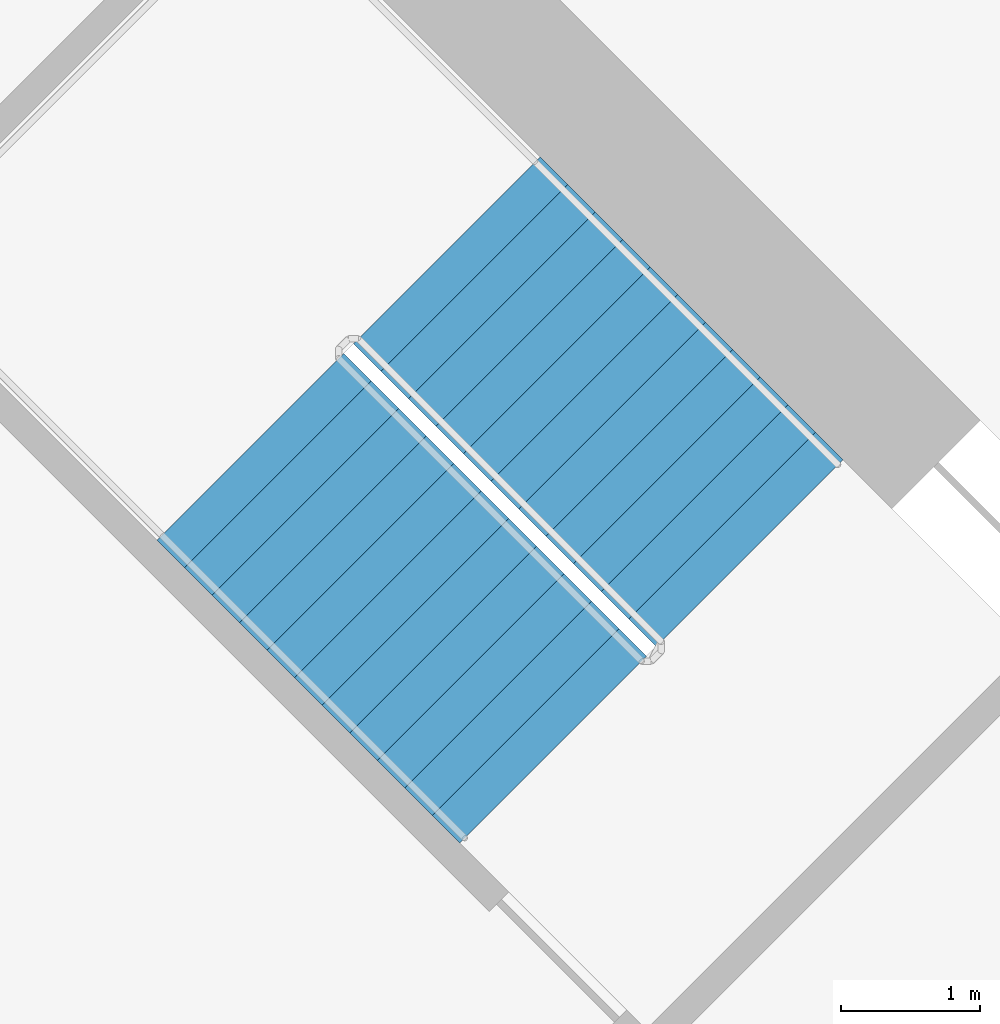
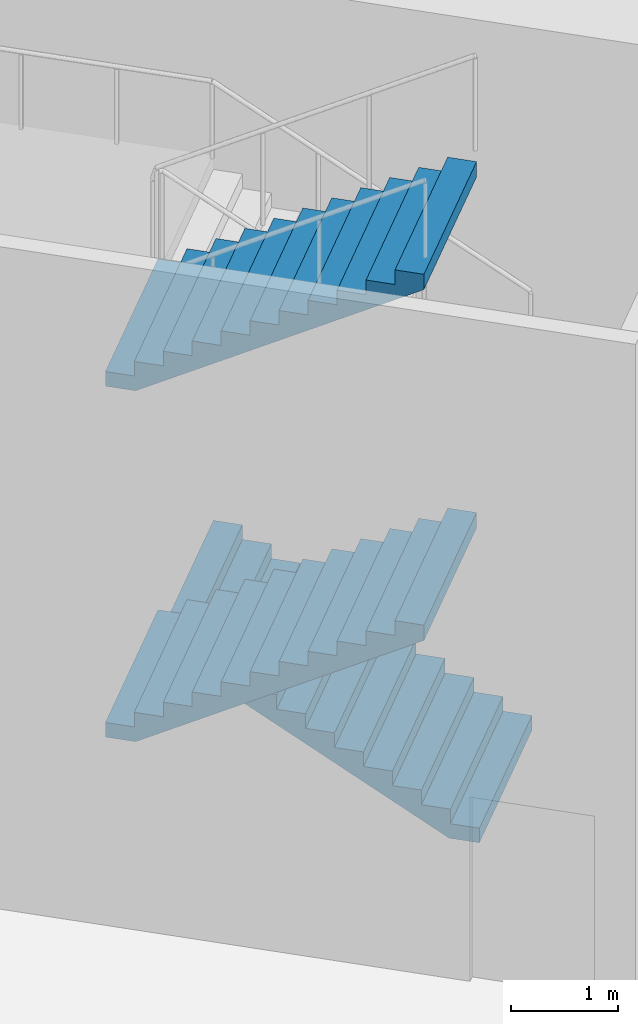
# One storey, part 17 of 30: 3 stair flights, 1 element without a shape of its own.
"""IFC4 building model written with IfcOpenShell, lengths in metres."""

from ifc_helpers import new_model, si_unit, direction, frame, origin, place, context, subcontext, project, spatial, triangles, material, type_object, element, aggregate, save


model = new_model("IFC4")

# Units and contexts
model_context = context("Model", 3, precision=1e-05, world=origin(), true_north=direction((0.0, 1.0)))
body_context = subcontext(model_context, "Body", "Model", "MODEL_VIEW")
ifc_project = project(units=[si_unit("LENGTHUNIT", "METRE"), si_unit("AREAUNIT", "SQUARE_METRE"), si_unit("VOLUMEUNIT", "CUBIC_METRE"), si_unit("PLANEANGLEUNIT", "RADIAN"), si_unit("MASSUNIT", "GRAM", prefix="KILO")], contexts=[model_context])

# Site, building, storey
site_placement = place(None, origin())
site = spatial("IfcSite", under=ifc_project, at=site_placement, CompositionType="ELEMENT")
building_placement = place(site_placement, origin())
building = spatial("IfcBuilding", under=site, at=building_placement, Name="Verdalira Terraces Hotel", CompositionType="ELEMENT")
storey_placement = place(building_placement, origin())
storey = spatial("IfcBuildingStorey", under=building, at=storey_placement, Name="L00", CompositionType="ELEMENT", Elevation=0.0)

# Stair, stair flights
ifc_material_1 = material(Name="Concrete C40", Category="concrete")
stair_type = type_object("IfcStairType", Name="Core stair 48 risers 1900 mm wide", PredefinedType="HALF_TURN_STAIR", material=ifc_material_1)
stair_placement = place(storey_placement, origin())
stair = element("IfcStair", 1, at=stair_placement, inside=storey, type_object=stair_type, Name="L00 Exit stair ST1", PredefinedType="HALF_TURN_STAIR")
ifc_material_2 = material(Name="Concrete C40", Category="concrete")
stair_flight_type = type_object("IfcStairFlightType", Name="Core stair flight 48 risers 1900 mm wide", PredefinedType="STRAIGHT", material=ifc_material_2)
stair_flight_1_placement = place(storey_placement, frame((10.005615, 7.177246, 0.0), z_axis=(0.0, 0.0, 1.0), x_axis=(-0.707106781, 0.707106781, 0.0)))
stair_flight_1 = element("IfcStairFlight", 2, at=stair_flight_1_placement, type_object=stair_flight_type, Name="ST1 flight 1", NumberOfRisers=12, NumberOfTreads=11, PredefinedType="STRAIGHT", RiserHeight=0.166666667, TreadLength=0.28, context=body_context, shape_type="Tessellation", body=[
    triangles([(0.0, 0.949951, 0.0), (0.292969, 0.949951, 0.0), (3.080078, 0.949951, 1.658936), (0.0, -0.949951, 0.0), (0.292969, -0.949951, 0.0), (3.080078, -0.949951, 1.658936), (3.080078, 0.949951, 1.833252), (2.800049, 0.949951, 1.833252), (3.080078, -0.949951, 1.833252), (2.800049, -0.949951, 1.833252), (2.800049, 0.949951, 1.666748), (2.800049, -0.949951, 1.666748), (2.52002, 0.949951, 1.666748), (2.52002, -0.949951, 1.666748), (2.52002, 0.949951, 1.5), (2.52002, -0.949951, 1.5), (2.23999, 0.949951, 1.5), (2.23999, 0.949951, 1.333252), (2.23999, -0.949951, 1.5), (2.23999, -0.949951, 1.333252), (1.959961, 0.949951, 1.333252), (1.959961, 0.949951, 1.166748), (1.959961, -0.949951, 1.333252), (1.959961, -0.949951, 1.166748), (1.679932, 0.949951, 1.166748), (1.679932, 0.949951, 1.0), (1.679932, -0.949951, 1.166748), (1.679932, -0.949951, 1.0), (1.399902, 0.949951, 1.0), (1.399902, 0.949951, 0.833252), (1.399902, -0.949951, 1.0), (1.399902, -0.949951, 0.833252), (1.120117, 0.949951, 0.833252), (1.120117, 0.949951, 0.666748), (1.120117, -0.949951, 0.833252), (1.120117, -0.949951, 0.666748), (0.840088, 0.949951, 0.666748), (0.840088, 0.949951, 0.5), (0.840088, -0.949951, 0.666748), (0.840088, -0.949951, 0.5), (0.560059, 0.949951, 0.5), (0.560059, 0.949951, 0.333252), (0.560059, -0.949951, 0.5), (0.560059, -0.949951, 0.333252), (0.280029, 0.949951, 0.333252), (0.280029, 0.949951, 0.166748), (0.280029, -0.949951, 0.333252), (0.280029, -0.949951, 0.166748), (0.0, 0.949951, 0.166748), (0.0, -0.949951, 0.166748), (0.0, -0.890579, 0.0), (0.0, -0.890579, 0.166748), (0.0, -0.831207, 0.0), (0.0, -0.831207, 0.166748), (0.0, -0.771835, 0.0), (0.0, -0.771835, 0.166748), (0.0, -0.712463, 0.0), (0.0, -0.712463, 0.166748), (0.0, -0.653091, 0.0), (0.0, -0.653091, 0.166748), (0.0, -0.593719, 0.0), (0.0, -0.593719, 0.166748), (0.0, -0.534348, 0.0), (0.0, -0.534348, 0.166748), (0.0, -0.474976, 0.0), (0.0, -0.474976, 0.166748), (0.0, -0.415604, 0.0), (0.0, -0.415604, 0.166748), (0.0, -0.356232, 0.0), (0.0, -0.356232, 0.166748), (0.0, -0.29686, 0.0), (0.0, -0.29686, 0.166748), (0.0, -0.237488, 0.0), (0.0, -0.237488, 0.166748), (0.0, -0.178116, 0.0), (0.0, -0.178116, 0.166748), (0.0, -0.118744, 0.0), (0.0, -0.118744, 0.166748), (0.0, -0.059372, 0.0), (0.0, -0.059372, 0.166748), (0.0, 0.0, 0.0), (0.0, 0.0, 0.166748), (0.0, 0.059372, 0.0), (0.0, 0.059372, 0.166748), (0.0, 0.118744, 0.0), (0.0, 0.118744, 0.166748), (0.0, 0.178116, 0.0), (0.0, 0.178116, 0.166748), (0.0, 0.237488, 0.0), (0.0, 0.237488, 0.166748), (0.0, 0.29686, 0.0), (0.0, 0.29686, 0.166748), (0.0, 0.356232, 0.0), (0.0, 0.356232, 0.166748), (0.0, 0.415604, 0.0), (0.0, 0.415604, 0.166748), (0.0, 0.474976, 0.0), (0.0, 0.474976, 0.166748), (0.0, 0.534348, 0.0), (0.0, 0.534348, 0.166748), (0.0, 0.593719, 0.0), (0.0, 0.593719, 0.166748), (0.0, 0.653091, 0.0), (0.0, 0.653091, 0.166748), (0.0, 0.712463, 0.0), (0.0, 0.712463, 0.166748), (0.0, 0.771835, 0.0), (0.0, 0.771835, 0.166748), (0.0, 0.831207, 0.0), (0.0, 0.831207, 0.166748), (0.0, 0.890579, 0.0), (0.0, 0.890579, 0.166748), (3.080078, -0.890579, 1.833252), (3.080078, -0.831207, 1.833252), (3.080078, -0.771835, 1.833252), (3.080078, -0.712463, 1.833252), (3.080078, -0.653091, 1.833252), (3.080078, -0.593719, 1.833252), (3.080078, -0.534348, 1.833252), (3.080078, -0.474976, 1.833252), (3.080078, -0.415604, 1.833252), (3.080078, -0.356232, 1.833252), (3.080078, -0.29686, 1.833252), (3.080078, -0.237488, 1.833252), (3.080078, -0.178116, 1.833252), (3.080078, -0.118744, 1.833252), (3.080078, -0.059372, 1.833252), (3.080078, 0.0, 1.833252), (3.080078, 0.059372, 1.833252), (3.080078, 0.118744, 1.833252), (3.080078, 0.178116, 1.833252), (3.080078, 0.237488, 1.833252), (3.080078, 0.29686, 1.833252), (3.080078, 0.356232, 1.833252), (3.080078, 0.415604, 1.833252), (3.080078, 0.474976, 1.833252), (3.080078, 0.534348, 1.833252), (3.080078, 0.593719, 1.833252), (3.080078, 0.653091, 1.833252), (3.080078, 0.712463, 1.833252), (3.080078, 0.771835, 1.833252), (3.080078, 0.831207, 1.833252), (3.080078, 0.890579, 1.833252), (3.080078, -0.890579, 1.658936), (3.080078, -0.831207, 1.658936), (3.080078, -0.771835, 1.658936), (3.080078, -0.712463, 1.658936), (3.080078, -0.653091, 1.658936), (3.080078, -0.593719, 1.658936), (3.080078, -0.534348, 1.658936), (3.080078, -0.474976, 1.658936), (3.080078, -0.415604, 1.658936), (3.080078, -0.356232, 1.658936), (3.080078, -0.29686, 1.658936), (3.080078, -0.237488, 1.658936), (3.080078, -0.178116, 1.658936), (3.080078, -0.118744, 1.658936), (3.080078, -0.059372, 1.658936), (3.080078, 0.0, 1.658936), (3.080078, 0.059372, 1.658936), (3.080078, 0.118744, 1.658936), (3.080078, 0.178116, 1.658936), (3.080078, 0.237488, 1.658936), (3.080078, 0.29686, 1.658936), (3.080078, 0.356232, 1.658936), (3.080078, 0.415604, 1.658936), (3.080078, 0.474976, 1.658936), (3.080078, 0.534348, 1.658936), (3.080078, 0.593719, 1.658936), (3.080078, 0.653091, 1.658936), (3.080078, 0.712463, 1.658936), (3.080078, 0.771835, 1.658936), (3.080078, 0.831207, 1.658936), (3.080078, 0.890579, 1.658936)], [[1, 3, 2], [4, 5, 6], [3, 8, 7], [6, 9, 10], [3, 11, 8], [6, 10, 12], [3, 13, 11], [6, 12, 14], [3, 15, 13], [6, 14, 16], [15, 18, 17], [16, 19, 20], [3, 18, 15], [6, 16, 20], [18, 22, 21], [20, 23, 24], [3, 22, 18], [6, 20, 24], [22, 26, 25], [24, 27, 28], [3, 26, 22], [6, 24, 28], [26, 30, 29], [28, 31, 32], [3, 30, 26], [6, 28, 32], [30, 34, 33], [32, 35, 36], [3, 34, 30], [6, 32, 36], [34, 38, 37], [36, 39, 40], [3, 38, 34], [6, 36, 40], [38, 42, 41], [40, 43, 44], [3, 42, 38], [6, 40, 44], [1, 42, 3], [4, 6, 44], [42, 46, 45], [44, 47, 48], [1, 46, 42], [4, 44, 48], [46, 1, 49], [48, 50, 4], [4, 52, 51], [4, 50, 52], [51, 54, 53], [51, 52, 54], [53, 56, 55], [53, 54, 56], [55, 58, 57], [55, 56, 58], [57, 60, 59], [57, 58, 60], [59, 62, 61], [59, 60, 62], [61, 64, 63], [61, 62, 64], [63, 66, 65], [63, 64, 66], [65, 68, 67], [65, 66, 68], [67, 70, 69], [67, 68, 70], [69, 72, 71], [69, 70, 72], [71, 74, 73], [71, 72, 74], [73, 76, 75], [73, 74, 76], [75, 78, 77], [75, 76, 78], [77, 80, 79], [77, 78, 80], [79, 82, 81], [79, 80, 82], [81, 84, 83], [81, 82, 84], [83, 86, 85], [83, 84, 86], [85, 88, 87], [85, 86, 88], [87, 90, 89], [87, 88, 90], [89, 92, 91], [89, 90, 92], [91, 94, 93], [91, 92, 94], [93, 96, 95], [93, 94, 96], [95, 98, 97], [95, 96, 98], [97, 100, 99], [97, 98, 100], [99, 102, 101], [99, 100, 102], [101, 104, 103], [101, 102, 104], [103, 106, 105], [103, 104, 106], [105, 108, 107], [105, 106, 108], [107, 110, 109], [107, 108, 110], [109, 112, 111], [109, 110, 112], [111, 49, 1], [111, 112, 49], [50, 48, 52], [52, 48, 54], [54, 48, 56], [56, 48, 58], [58, 48, 60], [60, 48, 62], [62, 48, 64], [64, 48, 66], [66, 48, 68], [68, 48, 70], [70, 48, 72], [72, 48, 74], [74, 48, 76], [76, 48, 78], [78, 48, 80], [80, 48, 82], [82, 48, 84], [84, 48, 86], [86, 48, 88], [88, 48, 90], [90, 48, 92], [92, 48, 94], [94, 48, 96], [96, 48, 98], [98, 48, 100], [100, 48, 102], [102, 48, 104], [104, 48, 106], [106, 48, 108], [108, 48, 110], [110, 48, 112], [112, 48, 49], [49, 48, 46], [48, 45, 46], [48, 47, 45], [47, 42, 45], [47, 44, 42], [44, 41, 42], [44, 43, 41], [43, 38, 41], [43, 40, 38], [40, 37, 38], [40, 39, 37], [39, 34, 37], [39, 36, 34], [36, 33, 34], [36, 35, 33], [35, 30, 33], [35, 32, 30], [32, 29, 30], [32, 31, 29], [31, 26, 29], [31, 28, 26], [28, 25, 26], [28, 27, 25], [27, 22, 25], [27, 24, 22], [24, 21, 22], [24, 23, 21], [23, 18, 21], [23, 20, 18], [20, 17, 18], [20, 19, 17], [19, 15, 17], [19, 16, 15], [16, 13, 15], [16, 14, 13], [14, 11, 13], [14, 12, 11], [12, 8, 11], [12, 10, 8], [9, 113, 10], [113, 114, 10], [114, 115, 10], [115, 116, 10], [116, 117, 10], [117, 118, 10], [118, 119, 10], [119, 120, 10], [120, 121, 10], [121, 122, 10], [122, 123, 10], [123, 124, 10], [124, 125, 10], [125, 126, 10], [126, 127, 10], [127, 128, 10], [128, 129, 10], [129, 130, 10], [130, 131, 10], [131, 132, 10], [132, 133, 10], [133, 134, 10], [134, 135, 10], [135, 136, 10], [136, 137, 10], [137, 138, 10], [138, 139, 10], [139, 140, 10], [140, 141, 10], [141, 142, 10], [142, 143, 10], [143, 7, 10], [7, 8, 10], [9, 144, 113], [9, 6, 144], [113, 145, 114], [113, 144, 145], [114, 146, 115], [114, 145, 146], [115, 147, 116], [115, 146, 147], [116, 148, 117], [116, 147, 148], [117, 149, 118], [117, 148, 149], [118, 150, 119], [118, 149, 150], [119, 151, 120], [119, 150, 151], [120, 152, 121], [120, 151, 152], [121, 153, 122], [121, 152, 153], [122, 154, 123], [122, 153, 154], [123, 155, 124], [123, 154, 155], [124, 156, 125], [124, 155, 156], [125, 157, 126], [125, 156, 157], [126, 158, 127], [126, 157, 158], [127, 159, 128], [127, 158, 159], [128, 160, 129], [128, 159, 160], [129, 161, 130], [129, 160, 161], [130, 162, 131], [130, 161, 162], [131, 163, 132], [131, 162, 163], [132, 164, 133], [132, 163, 164], [133, 165, 134], [133, 164, 165], [134, 166, 135], [134, 165, 166], [135, 167, 136], [135, 166, 167], [136, 168, 137], [136, 167, 168], [137, 169, 138], [137, 168, 169], [138, 170, 139], [138, 169, 170], [139, 171, 140], [139, 170, 171], [140, 172, 141], [140, 171, 172], [141, 173, 142], [141, 172, 173], [142, 174, 143], [142, 173, 174], [143, 3, 7], [143, 174, 3], [6, 5, 144], [144, 5, 145], [145, 5, 146], [146, 5, 147], [147, 5, 148], [148, 5, 149], [149, 5, 150], [150, 5, 151], [151, 5, 152], [152, 5, 153], [153, 5, 154], [154, 5, 155], [155, 5, 156], [156, 5, 157], [157, 5, 158], [158, 5, 159], [159, 5, 160], [160, 5, 161], [161, 5, 162], [162, 5, 163], [163, 5, 164], [164, 5, 165], [165, 5, 166], [166, 5, 167], [167, 5, 168], [168, 5, 169], [169, 5, 170], [170, 5, 171], [171, 5, 172], [172, 5, 173], [173, 5, 174], [174, 5, 3], [3, 5, 2], [4, 51, 5], [51, 53, 5], [53, 55, 5], [55, 57, 5], [57, 59, 5], [59, 61, 5], [61, 63, 5], [63, 65, 5], [65, 67, 5], [67, 69, 5], [69, 71, 5], [71, 73, 5], [73, 75, 5], [75, 77, 5], [77, 79, 5], [79, 81, 5], [81, 83, 5], [83, 85, 5], [85, 87, 5], [87, 89, 5], [89, 91, 5], [91, 93, 5], [93, 95, 5], [95, 97, 5], [97, 99, 5], [99, 101, 5], [101, 103, 5], [103, 105, 5], [105, 107, 5], [107, 109, 5], [109, 111, 5], [111, 1, 5], [1, 2, 5]], closed=True),
])
stair_flight_2_placement = place(storey_placement, frame((6.413574, 7.940918, 2.0), z_axis=(0.0, 0.0, 1.0), x_axis=(0.707106781, -0.707106781, 0.0)))
stair_flight_2 = element("IfcStairFlight", 3, at=stair_flight_2_placement, type_object=stair_flight_type, Name="ST1 flight 2", NumberOfRisers=12, NumberOfTreads=11, PredefinedType="STRAIGHT", RiserHeight=0.166666667, TreadLength=0.28, context=body_context, shape_type="Tessellation", body=[
    triangles([(0.0, 0.949951, 0.0), (0.292969, 0.949951, 0.0), (3.080078, 0.949951, 1.658936), (0.0, -0.949951, 0.0), (0.292969, -0.949951, 0.0), (3.080078, -0.949951, 1.658936), (3.080078, 0.949951, 1.833252), (2.800049, 0.949951, 1.833252), (3.080078, -0.949951, 1.833252), (2.800049, -0.949951, 1.833252), (2.800049, 0.949951, 1.666748), (2.800049, -0.949951, 1.666748), (2.52002, 0.949951, 1.666748), (2.52002, -0.949951, 1.666748), (2.52002, 0.949951, 1.5), (2.52002, -0.949951, 1.5), (2.23999, 0.949951, 1.5), (2.23999, 0.949951, 1.333252), (2.23999, -0.949951, 1.5), (2.23999, -0.949951, 1.333252), (1.959961, 0.949951, 1.333252), (1.959961, 0.949951, 1.166748), (1.959961, -0.949951, 1.333252), (1.959961, -0.949951, 1.166748), (1.679932, 0.949951, 1.166748), (1.679932, 0.949951, 1.0), (1.679932, -0.949951, 1.166748), (1.679932, -0.949951, 1.0), (1.399902, 0.949951, 1.0), (1.399902, 0.949951, 0.833252), (1.399902, -0.949951, 1.0), (1.399902, -0.949951, 0.833252), (1.120117, 0.949951, 0.833252), (1.120117, 0.949951, 0.666748), (1.120117, -0.949951, 0.833252), (1.120117, -0.949951, 0.666748), (0.840088, 0.949951, 0.666748), (0.840088, 0.949951, 0.5), (0.840088, -0.949951, 0.666748), (0.840088, -0.949951, 0.5), (0.560059, 0.949951, 0.5), (0.560059, 0.949951, 0.333252), (0.560059, -0.949951, 0.5), (0.560059, -0.949951, 0.333252), (0.280029, 0.949951, 0.333252), (0.280029, 0.949951, 0.166748), (0.280029, -0.949951, 0.333252), (0.280029, -0.949951, 0.166748), (0.0, 0.949951, 0.166748), (0.0, -0.949951, 0.166748), (0.0, -0.890579, 0.0), (0.0, -0.890579, 0.166748), (0.0, -0.831207, 0.0), (0.0, -0.831207, 0.166748), (0.0, -0.771835, 0.0), (0.0, -0.771835, 0.166748), (0.0, -0.712463, 0.0), (0.0, -0.712463, 0.166748), (0.0, -0.653091, 0.0), (0.0, -0.653091, 0.166748), (0.0, -0.593719, 0.0), (0.0, -0.593719, 0.166748), (0.0, -0.534348, 0.0), (0.0, -0.534348, 0.166748), (0.0, -0.474976, 0.0), (0.0, -0.474976, 0.166748), (0.0, -0.415604, 0.0), (0.0, -0.415604, 0.166748), (0.0, -0.356232, 0.0), (0.0, -0.356232, 0.166748), (0.0, -0.29686, 0.0), (0.0, -0.29686, 0.166748), (0.0, -0.237488, 0.0), (0.0, -0.237488, 0.166748), (0.0, -0.178116, 0.0), (0.0, -0.178116, 0.166748), (0.0, -0.118744, 0.0), (0.0, -0.118744, 0.166748), (0.0, -0.059372, 0.0), (0.0, -0.059372, 0.166748), (0.0, 0.0, 0.0), (0.0, 0.0, 0.166748), (0.0, 0.059372, 0.0), (0.0, 0.059372, 0.166748), (0.0, 0.118744, 0.0), (0.0, 0.118744, 0.166748), (0.0, 0.178116, 0.0), (0.0, 0.178116, 0.166748), (0.0, 0.237488, 0.0), (0.0, 0.237488, 0.166748), (0.0, 0.29686, 0.0), (0.0, 0.29686, 0.166748), (0.0, 0.356232, 0.0), (0.0, 0.356232, 0.166748), (0.0, 0.415604, 0.0), (0.0, 0.415604, 0.166748), (0.0, 0.474976, 0.0), (0.0, 0.474976, 0.166748), (0.0, 0.534348, 0.0), (0.0, 0.534348, 0.166748), (0.0, 0.593719, 0.0), (0.0, 0.593719, 0.166748), (0.0, 0.653091, 0.0), (0.0, 0.653091, 0.166748), (0.0, 0.712463, 0.0), (0.0, 0.712463, 0.166748), (0.0, 0.771835, 0.0), (0.0, 0.771835, 0.166748), (0.0, 0.831207, 0.0), (0.0, 0.831207, 0.166748), (0.0, 0.890579, 0.0), (0.0, 0.890579, 0.166748), (3.080078, -0.890579, 1.833252), (3.080078, -0.831207, 1.833252), (3.080078, -0.771835, 1.833252), (3.080078, -0.712463, 1.833252), (3.080078, -0.653091, 1.833252), (3.080078, -0.593719, 1.833252), (3.080078, -0.534348, 1.833252), (3.080078, -0.474976, 1.833252), (3.080078, -0.415604, 1.833252), (3.080078, -0.356232, 1.833252), (3.080078, -0.29686, 1.833252), (3.080078, -0.237488, 1.833252), (3.080078, -0.178116, 1.833252), (3.080078, -0.118744, 1.833252), (3.080078, -0.059372, 1.833252), (3.080078, 0.0, 1.833252), (3.080078, 0.059372, 1.833252), (3.080078, 0.118744, 1.833252), (3.080078, 0.178116, 1.833252), (3.080078, 0.237488, 1.833252), (3.080078, 0.29686, 1.833252), (3.080078, 0.356232, 1.833252), (3.080078, 0.415604, 1.833252), (3.080078, 0.474976, 1.833252), (3.080078, 0.534348, 1.833252), (3.080078, 0.593719, 1.833252), (3.080078, 0.653091, 1.833252), (3.080078, 0.712463, 1.833252), (3.080078, 0.771835, 1.833252), (3.080078, 0.831207, 1.833252), (3.080078, 0.890579, 1.833252), (3.080078, -0.890579, 1.658936), (3.080078, -0.831207, 1.658936), (3.080078, -0.771835, 1.658936), (3.080078, -0.712463, 1.658936), (3.080078, -0.653091, 1.658936), (3.080078, -0.593719, 1.658936), (3.080078, -0.534348, 1.658936), (3.080078, -0.474976, 1.658936), (3.080078, -0.415604, 1.658936), (3.080078, -0.356232, 1.658936), (3.080078, -0.29686, 1.658936), (3.080078, -0.237488, 1.658936), (3.080078, -0.178116, 1.658936), (3.080078, -0.118744, 1.658936), (3.080078, -0.059372, 1.658936), (3.080078, 0.0, 1.658936), (3.080078, 0.059372, 1.658936), (3.080078, 0.118744, 1.658936), (3.080078, 0.178116, 1.658936), (3.080078, 0.237488, 1.658936), (3.080078, 0.29686, 1.658936), (3.080078, 0.356232, 1.658936), (3.080078, 0.415604, 1.658936), (3.080078, 0.474976, 1.658936), (3.080078, 0.534348, 1.658936), (3.080078, 0.593719, 1.658936), (3.080078, 0.653091, 1.658936), (3.080078, 0.712463, 1.658936), (3.080078, 0.771835, 1.658936), (3.080078, 0.831207, 1.658936), (3.080078, 0.890579, 1.658936)], [[1, 3, 2], [4, 5, 6], [3, 8, 7], [6, 9, 10], [3, 11, 8], [6, 10, 12], [3, 13, 11], [6, 12, 14], [3, 15, 13], [6, 14, 16], [15, 18, 17], [16, 19, 20], [3, 18, 15], [6, 16, 20], [18, 22, 21], [20, 23, 24], [3, 22, 18], [6, 20, 24], [22, 26, 25], [24, 27, 28], [3, 26, 22], [6, 24, 28], [26, 30, 29], [28, 31, 32], [3, 30, 26], [6, 28, 32], [30, 34, 33], [32, 35, 36], [3, 34, 30], [6, 32, 36], [34, 38, 37], [36, 39, 40], [3, 38, 34], [6, 36, 40], [38, 42, 41], [40, 43, 44], [3, 42, 38], [6, 40, 44], [1, 42, 3], [4, 6, 44], [42, 46, 45], [44, 47, 48], [1, 46, 42], [4, 44, 48], [46, 1, 49], [48, 50, 4], [4, 52, 51], [4, 50, 52], [51, 54, 53], [51, 52, 54], [53, 56, 55], [53, 54, 56], [55, 58, 57], [55, 56, 58], [57, 60, 59], [57, 58, 60], [59, 62, 61], [59, 60, 62], [61, 64, 63], [61, 62, 64], [63, 66, 65], [63, 64, 66], [65, 68, 67], [65, 66, 68], [67, 70, 69], [67, 68, 70], [69, 72, 71], [69, 70, 72], [71, 74, 73], [71, 72, 74], [73, 76, 75], [73, 74, 76], [75, 78, 77], [75, 76, 78], [77, 80, 79], [77, 78, 80], [79, 82, 81], [79, 80, 82], [81, 84, 83], [81, 82, 84], [83, 86, 85], [83, 84, 86], [85, 88, 87], [85, 86, 88], [87, 90, 89], [87, 88, 90], [89, 92, 91], [89, 90, 92], [91, 94, 93], [91, 92, 94], [93, 96, 95], [93, 94, 96], [95, 98, 97], [95, 96, 98], [97, 100, 99], [97, 98, 100], [99, 102, 101], [99, 100, 102], [101, 104, 103], [101, 102, 104], [103, 106, 105], [103, 104, 106], [105, 108, 107], [105, 106, 108], [107, 110, 109], [107, 108, 110], [109, 112, 111], [109, 110, 112], [111, 49, 1], [111, 112, 49], [50, 48, 52], [52, 48, 54], [54, 48, 56], [56, 48, 58], [58, 48, 60], [60, 48, 62], [62, 48, 64], [64, 48, 66], [66, 48, 68], [68, 48, 70], [70, 48, 72], [72, 48, 74], [74, 48, 76], [76, 48, 78], [78, 48, 80], [80, 48, 82], [82, 48, 84], [84, 48, 86], [86, 48, 88], [88, 48, 90], [90, 48, 92], [92, 48, 94], [94, 48, 96], [96, 48, 98], [98, 48, 100], [100, 48, 102], [102, 48, 104], [104, 48, 106], [106, 48, 108], [108, 48, 110], [110, 48, 112], [112, 48, 49], [49, 48, 46], [48, 45, 46], [48, 47, 45], [47, 42, 45], [47, 44, 42], [44, 41, 42], [44, 43, 41], [43, 38, 41], [43, 40, 38], [40, 37, 38], [40, 39, 37], [39, 34, 37], [39, 36, 34], [36, 33, 34], [36, 35, 33], [35, 30, 33], [35, 32, 30], [32, 29, 30], [32, 31, 29], [31, 26, 29], [31, 28, 26], [28, 25, 26], [28, 27, 25], [27, 22, 25], [27, 24, 22], [24, 21, 22], [24, 23, 21], [23, 18, 21], [23, 20, 18], [20, 17, 18], [20, 19, 17], [19, 15, 17], [19, 16, 15], [16, 13, 15], [16, 14, 13], [14, 11, 13], [14, 12, 11], [12, 8, 11], [12, 10, 8], [9, 113, 10], [113, 114, 10], [114, 115, 10], [115, 116, 10], [116, 117, 10], [117, 118, 10], [118, 119, 10], [119, 120, 10], [120, 121, 10], [121, 122, 10], [122, 123, 10], [123, 124, 10], [124, 125, 10], [125, 126, 10], [126, 127, 10], [127, 128, 10], [128, 129, 10], [129, 130, 10], [130, 131, 10], [131, 132, 10], [132, 133, 10], [133, 134, 10], [134, 135, 10], [135, 136, 10], [136, 137, 10], [137, 138, 10], [138, 139, 10], [139, 140, 10], [140, 141, 10], [141, 142, 10], [142, 143, 10], [143, 7, 10], [7, 8, 10], [9, 144, 113], [9, 6, 144], [113, 145, 114], [113, 144, 145], [114, 146, 115], [114, 145, 146], [115, 147, 116], [115, 146, 147], [116, 148, 117], [116, 147, 148], [117, 149, 118], [117, 148, 149], [118, 150, 119], [118, 149, 150], [119, 151, 120], [119, 150, 151], [120, 152, 121], [120, 151, 152], [121, 153, 122], [121, 152, 153], [122, 154, 123], [122, 153, 154], [123, 155, 124], [123, 154, 155], [124, 156, 125], [124, 155, 156], [125, 157, 126], [125, 156, 157], [126, 158, 127], [126, 157, 158], [127, 159, 128], [127, 158, 159], [128, 160, 129], [128, 159, 160], [129, 161, 130], [129, 160, 161], [130, 162, 131], [130, 161, 162], [131, 163, 132], [131, 162, 163], [132, 164, 133], [132, 163, 164], [133, 165, 134], [133, 164, 165], [134, 166, 135], [134, 165, 166], [135, 167, 136], [135, 166, 167], [136, 168, 137], [136, 167, 168], [137, 169, 138], [137, 168, 169], [138, 170, 139], [138, 169, 170], [139, 171, 140], [139, 170, 171], [140, 172, 141], [140, 171, 172], [141, 173, 142], [141, 172, 173], [142, 174, 143], [142, 173, 174], [143, 3, 7], [143, 174, 3], [6, 5, 144], [144, 5, 145], [145, 5, 146], [146, 5, 147], [147, 5, 148], [148, 5, 149], [149, 5, 150], [150, 5, 151], [151, 5, 152], [152, 5, 153], [153, 5, 154], [154, 5, 155], [155, 5, 156], [156, 5, 157], [157, 5, 158], [158, 5, 159], [159, 5, 160], [160, 5, 161], [161, 5, 162], [162, 5, 163], [163, 5, 164], [164, 5, 165], [165, 5, 166], [166, 5, 167], [167, 5, 168], [168, 5, 169], [169, 5, 170], [170, 5, 171], [171, 5, 172], [172, 5, 173], [173, 5, 174], [174, 5, 3], [3, 5, 2], [4, 51, 5], [51, 53, 5], [53, 55, 5], [55, 57, 5], [57, 59, 5], [59, 61, 5], [61, 63, 5], [63, 65, 5], [65, 67, 5], [67, 69, 5], [69, 71, 5], [71, 73, 5], [73, 75, 5], [75, 77, 5], [77, 79, 5], [79, 81, 5], [81, 83, 5], [83, 85, 5], [85, 87, 5], [87, 89, 5], [89, 91, 5], [91, 93, 5], [93, 95, 5], [95, 97, 5], [97, 99, 5], [99, 101, 5], [101, 103, 5], [103, 105, 5], [105, 107, 5], [107, 109, 5], [109, 111, 5], [111, 1, 5], [1, 2, 5]], closed=True),
])
stair_flight_3_placement = place(storey_placement, frame((6.413574, 7.940918, 6.0), z_axis=(0.0, 0.0, 1.0), x_axis=(0.707106781, -0.707106781, 0.0)))
stair_flight_3 = element("IfcStairFlight", 4, at=stair_flight_3_placement, type_object=stair_flight_type, Name="ST1 flight 4", NumberOfRisers=12, NumberOfTreads=11, PredefinedType="STRAIGHT", RiserHeight=0.166666667, TreadLength=0.28, context=body_context, shape_type="Tessellation", body=[
    triangles([(0.0, 0.949951, 0.0), (0.292969, 0.949951, 0.0), (3.080078, 0.949951, 1.658936), (0.0, -0.949951, 0.0), (0.292969, -0.949951, 0.0), (3.080078, -0.949951, 1.658936), (3.080078, 0.949951, 1.833252), (2.800049, 0.949951, 1.833252), (3.080078, -0.949951, 1.833252), (2.800049, -0.949951, 1.833252), (2.800049, 0.949951, 1.666748), (2.800049, -0.949951, 1.666748), (2.52002, 0.949951, 1.666748), (2.52002, -0.949951, 1.666748), (2.52002, 0.949951, 1.5), (2.52002, -0.949951, 1.5), (2.23999, 0.949951, 1.5), (2.23999, 0.949951, 1.333252), (2.23999, -0.949951, 1.5), (2.23999, -0.949951, 1.333252), (1.959961, 0.949951, 1.333252), (1.959961, 0.949951, 1.166748), (1.959961, -0.949951, 1.333252), (1.959961, -0.949951, 1.166748), (1.679932, 0.949951, 1.166748), (1.679932, 0.949951, 1.0), (1.679932, -0.949951, 1.166748), (1.679932, -0.949951, 1.0), (1.399902, 0.949951, 1.0), (1.399902, 0.949951, 0.833252), (1.399902, -0.949951, 1.0), (1.399902, -0.949951, 0.833252), (1.120117, 0.949951, 0.833252), (1.120117, 0.949951, 0.666748), (1.120117, -0.949951, 0.833252), (1.120117, -0.949951, 0.666748), (0.840088, 0.949951, 0.666748), (0.840088, 0.949951, 0.5), (0.840088, -0.949951, 0.666748), (0.840088, -0.949951, 0.5), (0.560059, 0.949951, 0.5), (0.560059, 0.949951, 0.333252), (0.560059, -0.949951, 0.5), (0.560059, -0.949951, 0.333252), (0.280029, 0.949951, 0.333252), (0.280029, 0.949951, 0.166748), (0.280029, -0.949951, 0.333252), (0.280029, -0.949951, 0.166748), (0.0, 0.949951, 0.166748), (0.0, -0.949951, 0.166748), (0.0, -0.890579, 0.0), (0.0, -0.890579, 0.166748), (0.0, -0.831207, 0.0), (0.0, -0.831207, 0.166748), (0.0, -0.771835, 0.0), (0.0, -0.771835, 0.166748), (0.0, -0.712463, 0.0), (0.0, -0.712463, 0.166748), (0.0, -0.653091, 0.0), (0.0, -0.653091, 0.166748), (0.0, -0.593719, 0.0), (0.0, -0.593719, 0.166748), (0.0, -0.534348, 0.0), (0.0, -0.534348, 0.166748), (0.0, -0.474976, 0.0), (0.0, -0.474976, 0.166748), (0.0, -0.415604, 0.0), (0.0, -0.415604, 0.166748), (0.0, -0.356232, 0.0), (0.0, -0.356232, 0.166748), (0.0, -0.29686, 0.0), (0.0, -0.29686, 0.166748), (0.0, -0.237488, 0.0), (0.0, -0.237488, 0.166748), (0.0, -0.178116, 0.0), (0.0, -0.178116, 0.166748), (0.0, -0.118744, 0.0), (0.0, -0.118744, 0.166748), (0.0, -0.059372, 0.0), (0.0, -0.059372, 0.166748), (0.0, 0.0, 0.0), (0.0, 0.0, 0.166748), (0.0, 0.059372, 0.0), (0.0, 0.059372, 0.166748), (0.0, 0.118744, 0.0), (0.0, 0.118744, 0.166748), (0.0, 0.178116, 0.0), (0.0, 0.178116, 0.166748), (0.0, 0.237488, 0.0), (0.0, 0.237488, 0.166748), (0.0, 0.29686, 0.0), (0.0, 0.29686, 0.166748), (0.0, 0.356232, 0.0), (0.0, 0.356232, 0.166748), (0.0, 0.415604, 0.0), (0.0, 0.415604, 0.166748), (0.0, 0.474976, 0.0), (0.0, 0.474976, 0.166748), (0.0, 0.534348, 0.0), (0.0, 0.534348, 0.166748), (0.0, 0.593719, 0.0), (0.0, 0.593719, 0.166748), (0.0, 0.653091, 0.0), (0.0, 0.653091, 0.166748), (0.0, 0.712463, 0.0), (0.0, 0.712463, 0.166748), (0.0, 0.771835, 0.0), (0.0, 0.771835, 0.166748), (0.0, 0.831207, 0.0), (0.0, 0.831207, 0.166748), (0.0, 0.890579, 0.0), (0.0, 0.890579, 0.166748), (3.080078, -0.890579, 1.833252), (3.080078, -0.831207, 1.833252), (3.080078, -0.771835, 1.833252), (3.080078, -0.712463, 1.833252), (3.080078, -0.653091, 1.833252), (3.080078, -0.593719, 1.833252), (3.080078, -0.534348, 1.833252), (3.080078, -0.474976, 1.833252), (3.080078, -0.415604, 1.833252), (3.080078, -0.356232, 1.833252), (3.080078, -0.29686, 1.833252), (3.080078, -0.237488, 1.833252), (3.080078, -0.178116, 1.833252), (3.080078, -0.118744, 1.833252), (3.080078, -0.059372, 1.833252), (3.080078, 0.0, 1.833252), (3.080078, 0.059372, 1.833252), (3.080078, 0.118744, 1.833252), (3.080078, 0.178116, 1.833252), (3.080078, 0.237488, 1.833252), (3.080078, 0.29686, 1.833252), (3.080078, 0.356232, 1.833252), (3.080078, 0.415604, 1.833252), (3.080078, 0.474976, 1.833252), (3.080078, 0.534348, 1.833252), (3.080078, 0.593719, 1.833252), (3.080078, 0.653091, 1.833252), (3.080078, 0.712463, 1.833252), (3.080078, 0.771835, 1.833252), (3.080078, 0.831207, 1.833252), (3.080078, 0.890579, 1.833252), (3.080078, -0.890579, 1.658936), (3.080078, -0.831207, 1.658936), (3.080078, -0.771835, 1.658936), (3.080078, -0.712463, 1.658936), (3.080078, -0.653091, 1.658936), (3.080078, -0.593719, 1.658936), (3.080078, -0.534348, 1.658936), (3.080078, -0.474976, 1.658936), (3.080078, -0.415604, 1.658936), (3.080078, -0.356232, 1.658936), (3.080078, -0.29686, 1.658936), (3.080078, -0.237488, 1.658936), (3.080078, -0.178116, 1.658936), (3.080078, -0.118744, 1.658936), (3.080078, -0.059372, 1.658936), (3.080078, 0.0, 1.658936), (3.080078, 0.059372, 1.658936), (3.080078, 0.118744, 1.658936), (3.080078, 0.178116, 1.658936), (3.080078, 0.237488, 1.658936), (3.080078, 0.29686, 1.658936), (3.080078, 0.356232, 1.658936), (3.080078, 0.415604, 1.658936), (3.080078, 0.474976, 1.658936), (3.080078, 0.534348, 1.658936), (3.080078, 0.593719, 1.658936), (3.080078, 0.653091, 1.658936), (3.080078, 0.712463, 1.658936), (3.080078, 0.771835, 1.658936), (3.080078, 0.831207, 1.658936), (3.080078, 0.890579, 1.658936)], [[1, 3, 2], [4, 5, 6], [3, 8, 7], [6, 9, 10], [3, 11, 8], [6, 10, 12], [3, 13, 11], [6, 12, 14], [3, 15, 13], [6, 14, 16], [15, 18, 17], [16, 19, 20], [3, 18, 15], [6, 16, 20], [18, 22, 21], [20, 23, 24], [3, 22, 18], [6, 20, 24], [22, 26, 25], [24, 27, 28], [3, 26, 22], [6, 24, 28], [26, 30, 29], [28, 31, 32], [3, 30, 26], [6, 28, 32], [30, 34, 33], [32, 35, 36], [3, 34, 30], [6, 32, 36], [34, 38, 37], [36, 39, 40], [3, 38, 34], [6, 36, 40], [38, 42, 41], [40, 43, 44], [3, 42, 38], [6, 40, 44], [1, 42, 3], [4, 6, 44], [42, 46, 45], [44, 47, 48], [1, 46, 42], [4, 44, 48], [46, 1, 49], [48, 50, 4], [4, 52, 51], [4, 50, 52], [51, 54, 53], [51, 52, 54], [53, 56, 55], [53, 54, 56], [55, 58, 57], [55, 56, 58], [57, 60, 59], [57, 58, 60], [59, 62, 61], [59, 60, 62], [61, 64, 63], [61, 62, 64], [63, 66, 65], [63, 64, 66], [65, 68, 67], [65, 66, 68], [67, 70, 69], [67, 68, 70], [69, 72, 71], [69, 70, 72], [71, 74, 73], [71, 72, 74], [73, 76, 75], [73, 74, 76], [75, 78, 77], [75, 76, 78], [77, 80, 79], [77, 78, 80], [79, 82, 81], [79, 80, 82], [81, 84, 83], [81, 82, 84], [83, 86, 85], [83, 84, 86], [85, 88, 87], [85, 86, 88], [87, 90, 89], [87, 88, 90], [89, 92, 91], [89, 90, 92], [91, 94, 93], [91, 92, 94], [93, 96, 95], [93, 94, 96], [95, 98, 97], [95, 96, 98], [97, 100, 99], [97, 98, 100], [99, 102, 101], [99, 100, 102], [101, 104, 103], [101, 102, 104], [103, 106, 105], [103, 104, 106], [105, 108, 107], [105, 106, 108], [107, 110, 109], [107, 108, 110], [109, 112, 111], [109, 110, 112], [111, 49, 1], [111, 112, 49], [50, 48, 52], [52, 48, 54], [54, 48, 56], [56, 48, 58], [58, 48, 60], [60, 48, 62], [62, 48, 64], [64, 48, 66], [66, 48, 68], [68, 48, 70], [70, 48, 72], [72, 48, 74], [74, 48, 76], [76, 48, 78], [78, 48, 80], [80, 48, 82], [82, 48, 84], [84, 48, 86], [86, 48, 88], [88, 48, 90], [90, 48, 92], [92, 48, 94], [94, 48, 96], [96, 48, 98], [98, 48, 100], [100, 48, 102], [102, 48, 104], [104, 48, 106], [106, 48, 108], [108, 48, 110], [110, 48, 112], [112, 48, 49], [49, 48, 46], [48, 45, 46], [48, 47, 45], [47, 42, 45], [47, 44, 42], [44, 41, 42], [44, 43, 41], [43, 38, 41], [43, 40, 38], [40, 37, 38], [40, 39, 37], [39, 34, 37], [39, 36, 34], [36, 33, 34], [36, 35, 33], [35, 30, 33], [35, 32, 30], [32, 29, 30], [32, 31, 29], [31, 26, 29], [31, 28, 26], [28, 25, 26], [28, 27, 25], [27, 22, 25], [27, 24, 22], [24, 21, 22], [24, 23, 21], [23, 18, 21], [23, 20, 18], [20, 17, 18], [20, 19, 17], [19, 15, 17], [19, 16, 15], [16, 13, 15], [16, 14, 13], [14, 11, 13], [14, 12, 11], [12, 8, 11], [12, 10, 8], [9, 113, 10], [113, 114, 10], [114, 115, 10], [115, 116, 10], [116, 117, 10], [117, 118, 10], [118, 119, 10], [119, 120, 10], [120, 121, 10], [121, 122, 10], [122, 123, 10], [123, 124, 10], [124, 125, 10], [125, 126, 10], [126, 127, 10], [127, 128, 10], [128, 129, 10], [129, 130, 10], [130, 131, 10], [131, 132, 10], [132, 133, 10], [133, 134, 10], [134, 135, 10], [135, 136, 10], [136, 137, 10], [137, 138, 10], [138, 139, 10], [139, 140, 10], [140, 141, 10], [141, 142, 10], [142, 143, 10], [143, 7, 10], [7, 8, 10], [9, 144, 113], [9, 6, 144], [113, 145, 114], [113, 144, 145], [114, 146, 115], [114, 145, 146], [115, 147, 116], [115, 146, 147], [116, 148, 117], [116, 147, 148], [117, 149, 118], [117, 148, 149], [118, 150, 119], [118, 149, 150], [119, 151, 120], [119, 150, 151], [120, 152, 121], [120, 151, 152], [121, 153, 122], [121, 152, 153], [122, 154, 123], [122, 153, 154], [123, 155, 124], [123, 154, 155], [124, 156, 125], [124, 155, 156], [125, 157, 126], [125, 156, 157], [126, 158, 127], [126, 157, 158], [127, 159, 128], [127, 158, 159], [128, 160, 129], [128, 159, 160], [129, 161, 130], [129, 160, 161], [130, 162, 131], [130, 161, 162], [131, 163, 132], [131, 162, 163], [132, 164, 133], [132, 163, 164], [133, 165, 134], [133, 164, 165], [134, 166, 135], [134, 165, 166], [135, 167, 136], [135, 166, 167], [136, 168, 137], [136, 167, 168], [137, 169, 138], [137, 168, 169], [138, 170, 139], [138, 169, 170], [139, 171, 140], [139, 170, 171], [140, 172, 141], [140, 171, 172], [141, 173, 142], [141, 172, 173], [142, 174, 143], [142, 173, 174], [143, 3, 7], [143, 174, 3], [6, 5, 144], [144, 5, 145], [145, 5, 146], [146, 5, 147], [147, 5, 148], [148, 5, 149], [149, 5, 150], [150, 5, 151], [151, 5, 152], [152, 5, 153], [153, 5, 154], [154, 5, 155], [155, 5, 156], [156, 5, 157], [157, 5, 158], [158, 5, 159], [159, 5, 160], [160, 5, 161], [161, 5, 162], [162, 5, 163], [163, 5, 164], [164, 5, 165], [165, 5, 166], [166, 5, 167], [167, 5, 168], [168, 5, 169], [169, 5, 170], [170, 5, 171], [171, 5, 172], [172, 5, 173], [173, 5, 174], [174, 5, 3], [3, 5, 2], [4, 51, 5], [51, 53, 5], [53, 55, 5], [55, 57, 5], [57, 59, 5], [59, 61, 5], [61, 63, 5], [63, 65, 5], [65, 67, 5], [67, 69, 5], [69, 71, 5], [71, 73, 5], [73, 75, 5], [75, 77, 5], [77, 79, 5], [79, 81, 5], [81, 83, 5], [83, 85, 5], [85, 87, 5], [87, 89, 5], [89, 91, 5], [91, 93, 5], [93, 95, 5], [95, 97, 5], [97, 99, 5], [99, 101, 5], [101, 103, 5], [103, 105, 5], [105, 107, 5], [107, 109, 5], [109, 111, 5], [111, 1, 5], [1, 2, 5]], closed=True),
])
aggregate(stair, [stair_flight_1, stair_flight_2, stair_flight_3])

save(model, "model.ifc")
